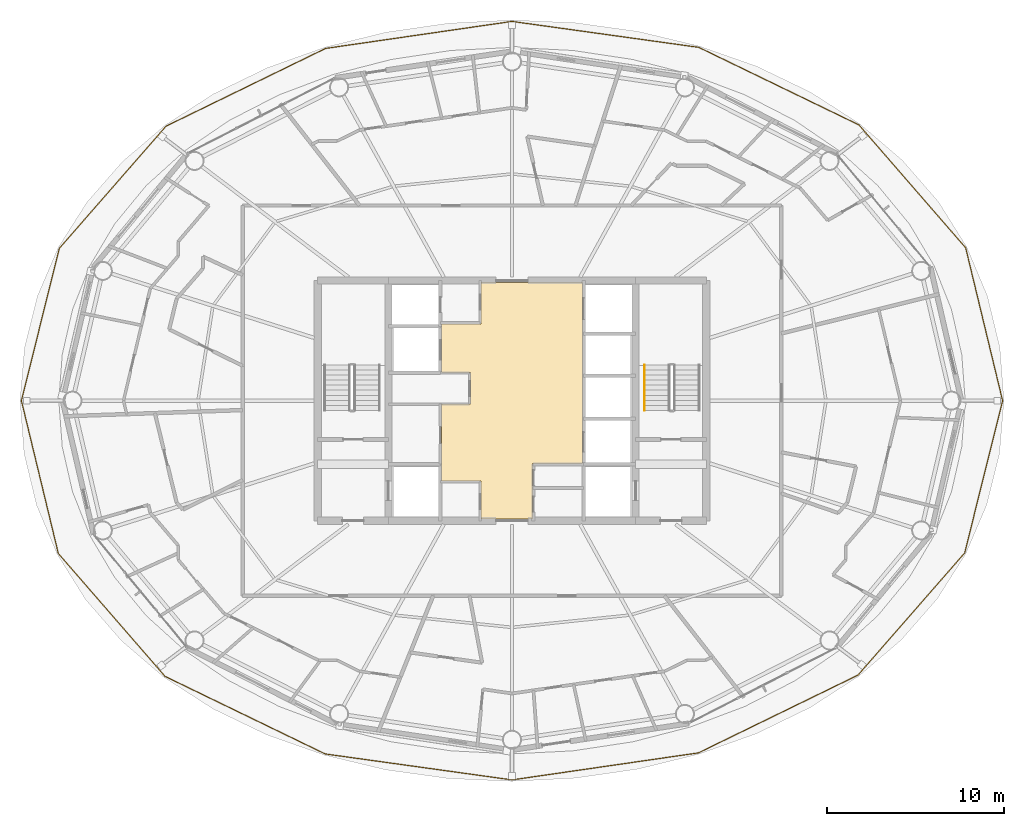
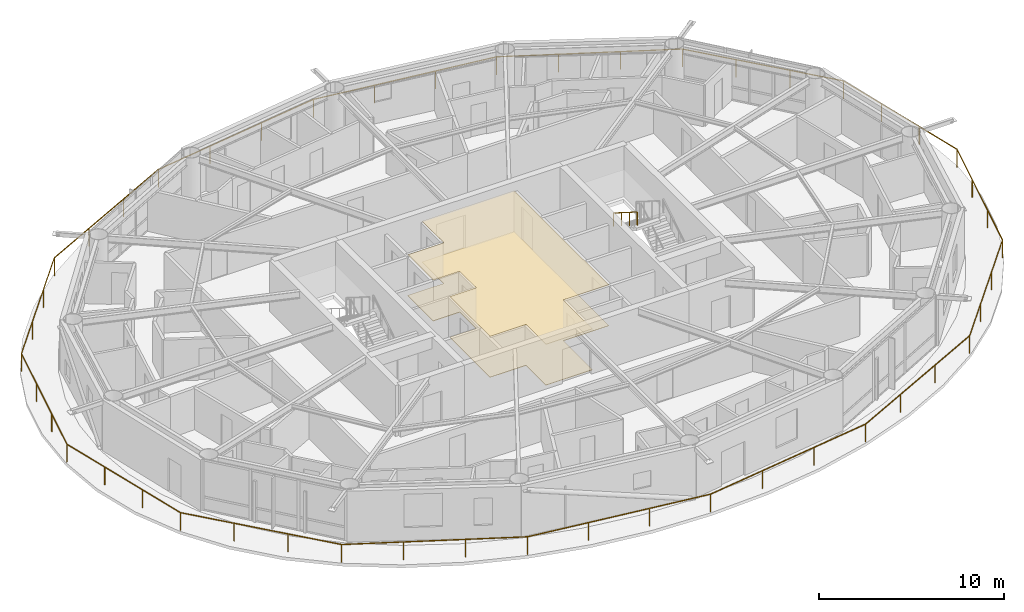
# One storey, part 22 of 23: 2 coverings, 2 railings.
"""IFC4 building model written with IfcOpenShell, lengths in metres."""

from ifc_helpers import new_model, si_unit, direction, frame, origin, origin_2d, place, context, subcontext, project, spatial, polyline, rectangle, outline, extrude, material, layer, layer_set, type_object, element, save


model = new_model("IFC4")

# Units and contexts
model_context = context("Model", 3, precision=1e-05, world=origin(), true_north=direction((0.0, 1.0)))
body_context = subcontext(model_context, "Body", "Model", "MODEL_VIEW")
ifc_project = project(units=[si_unit("LENGTHUNIT", "METRE"), si_unit("AREAUNIT", "SQUARE_METRE"), si_unit("VOLUMEUNIT", "CUBIC_METRE"), si_unit("PLANEANGLEUNIT", "RADIAN"), si_unit("MASSUNIT", "GRAM", prefix="KILO")], contexts=[model_context])

# Site, building, storey
site_placement = place(None, origin())
site = spatial("IfcSite", under=ifc_project, at=site_placement, CompositionType="ELEMENT")
building_placement = place(site_placement, origin())
building = spatial("IfcBuilding", under=site, at=building_placement, Name="Sarneth Arch Tower", CompositionType="ELEMENT")
storey_placement = place(building_placement, frame((0.0, 0.0, 238.800048828125)))
storey = spatial("IfcBuildingStorey", under=building, at=storey_placement, Name="L61", CompositionType="ELEMENT", Elevation=238.800048828125)

# Coverings
ifc_material_1 = material(Name="Perforated acoustic gypsum ceiling board")
ifc_layer_1 = layer(ifc_material_1, 0.02490234375)
ifc_layer_set_1 = layer_set([ifc_layer_1], Name="Perforated acoustic gypsum ceiling board")
covering_type_1 = type_object("IfcCoveringType", Name="COV-CEIL-GYP", PredefinedType="CEILING", material=ifc_layer_set_1)
covering_1_placement = place(storey_placement, frame((0.0, 0.0, 2.68994140625)))
element("IfcCovering", 1, at=covering_1_placement, inside=storey, type_object=covering_type_1, Name="L61 Lift lobby acoustic ceiling", PredefinedType="CEILING", context=body_context, shape_type="SweptSolid", body=[
    extrude(outline(polyline([(49.14990234375, 38.449951171875), (49.14990234375, 35.300048828125), (46.25, 35.300048828125), (46.25, 37.449951171875), (44.0, 37.449951171875), (44.0, 41.800048828125), (45.64990234375, 41.800048828125), (45.64990234375, 43.580078125), (44.0, 43.580078125), (44.0, 46.35009765625), (46.25, 46.35009765625), (46.25, 48.699951171875), (52.0, 48.699951171875), (52.0, 38.449951171875), (49.14990234375, 38.449951171875)])), origin(), (0.0, 0.0, 1.0), 0.030029296875),
])
ifc_material_2 = material(Name="Honed granite stone flooring", Category="masonry")
ifc_layer_2 = layer(ifc_material_2, 0.030029296875)
ifc_layer_set_2 = layer_set([ifc_layer_2], Name="Honed granite stone flooring")
covering_type_2 = type_object("IfcCoveringType", Name="COV-FLR-STONE", PredefinedType="FLOORING", material=ifc_layer_set_2)
covering_2_placement = place(storey_placement, origin())
element("IfcCovering", 2, at=covering_2_placement, inside=storey, type_object=covering_type_2, Name="L61 Lift lobby granite flooring", PredefinedType="FLOORING", context=body_context, shape_type="SweptSolid", body=[
    extrude(outline(polyline([(49.14990234375, 38.449951171875), (49.14990234375, 35.300048828125), (46.25, 35.300048828125), (46.25, 37.449951171875), (44.0, 37.449951171875), (44.0, 41.800048828125), (45.64990234375, 41.800048828125), (45.64990234375, 43.580078125), (44.0, 43.580078125), (44.0, 46.35009765625), (46.25, 46.35009765625), (46.25, 48.699951171875), (52.0, 48.699951171875), (52.0, 38.449951171875), (49.14990234375, 38.449951171875)])), origin(), (0.0, 0.0, 1.0), 0.030029296875),
])

# Railings
ifc_material_3 = material(Name="Laminated structural glass infill with Stainless Steel 316 top rail and posts", Category="steel")
railing_type_1 = type_object("IfcRailingType", Name="RAIL-BALC-1200", PredefinedType="BALUSTRADE", material=ifc_material_3)
railing_1_placement = place(storey_placement, frame((75.777587890625, 42.0, 0.0)))
element("IfcRailing", 3, at=railing_1_placement, inside=storey, type_object=railing_type_1, Name="L61 Helical balcony glass balustrade", PredefinedType="BALUSTRADE", context=body_context, shape_type="SweptSolid", body=[
    extrude(rectangle(XDim=0.048095703125, YDim=0.048095703125, at=origin_2d()), frame((0.0, 0.0, 1.17578125), z_axis=(-0.234792415291, 0.972045534799, 0.0), x_axis=(-0.972045534799, -0.234792415291, 0.0)), (0.0, 0.0, 1.0), 8.904052734375),
    extrude(rectangle(XDim=0.048095703125, YDim=0.048095703125, at=origin_2d()), frame((-2.090576171875, 8.655029296875, 1.17578125), z_axis=(-0.655775273711, 0.754956151302, 0.0), x_axis=(-0.754956151302, -0.655775273711, 0.0)), (0.0, 0.0, 1.0), 9.216064453125),
    extrude(rectangle(XDim=0.048095703125, YDim=0.048095703125, at=origin_2d()), frame((-8.13427734375, 15.61279296875, 1.17578125), z_axis=(-0.900035090868, 0.435817433344, 0.0), x_axis=(-0.435817433344, -0.900035090868, 0.0)), (0.0, 0.0, 1.0), 10.074951171875),
    extrude(rectangle(XDim=0.048095703125, YDim=0.048095703125, at=origin_2d()), frame((-17.2021484375, 20.003662109375, 1.17578125), z_axis=(-0.990483703022, 0.137630062296, 0.0), x_axis=(-0.137630062296, -0.990483703022, 0.0)), (0.0, 0.0, 1.0), 10.677001953125),
    extrude(rectangle(XDim=0.048095703125, YDim=0.048095703125, at=origin_2d()), frame((-27.777587890625, 21.47314453125, 1.17578125), z_axis=(-0.989652074697, -0.143487877706, 0.0), x_axis=(0.143487877706, -0.989652074697, 0.0)), (0.0, 0.0, 1.0), 10.66650390625),
    extrude(rectangle(XDim=0.048095703125, YDim=0.048095703125, at=origin_2d()), frame((-38.333740234375, 19.942626953125, 1.17578125), z_axis=(-0.898929273408, -0.438093781524, 0.0), x_axis=(0.438093781524, -0.898929273408, 0.0)), (0.0, 0.0, 1.0), 10.04833984375),
    extrude(rectangle(XDim=0.048095703125, YDim=0.048095703125, at=origin_2d()), frame((-47.366455078125, 15.54052734375, 1.17578125), z_axis=(-0.657892755359, -0.753111626816, 0.0), x_axis=(0.753111626816, -0.657892755359, 0.0)), (0.0, 0.0, 1.0), 9.184326171875),
    extrude(rectangle(XDim=0.048095703125, YDim=0.048095703125, at=origin_2d()), frame((-53.40869140625, 8.623779296875, 1.17578125), z_axis=(-0.24153357672, -0.970392462521, 0.0), x_axis=(0.970392462521, -0.24153357672, 0.0)), (0.0, 0.0, 1.0), 8.886962890625),
    extrude(rectangle(XDim=0.048095703125, YDim=0.048095703125, at=origin_2d()), frame((-55.55517578125, 0.0, 1.17578125), z_axis=(0.234792415291, -0.972045534799, 0.0), x_axis=(0.972045534799, 0.234792415291, 0.0)), (0.0, 0.0, 1.0), 8.904052734375),
    extrude(rectangle(XDim=0.048095703125, YDim=0.048095703125, at=origin_2d()), frame((-53.464599609375, -8.655029296875, 1.17578125), z_axis=(0.655775273711, -0.754956151302, 0.0), x_axis=(0.754956151302, 0.655775273711, 0.0)), (0.0, 0.0, 1.0), 9.216064453125),
    extrude(rectangle(XDim=0.048095703125, YDim=0.048095703125, at=origin_2d()), frame((-47.4208984375, -15.61279296875, 1.17578125), z_axis=(0.900035090868, -0.435817433344, 0.0), x_axis=(0.435817433344, 0.900035090868, 0.0)), (0.0, 0.0, 1.0), 10.074951171875),
    extrude(rectangle(XDim=0.048095703125, YDim=0.048095703125, at=origin_2d()), frame((-38.35302734375, -20.003662109375, 1.17578125), z_axis=(0.990483703022, -0.137630062296, 0.0), x_axis=(0.137630062296, 0.990483703022, 0.0)), (0.0, 0.0, 1.0), 10.677001953125),
    extrude(rectangle(XDim=0.048095703125, YDim=0.048095703125, at=origin_2d()), frame((-27.777587890625, -21.47314453125, 1.17578125), z_axis=(0.989652074697, 0.143487877706, 0.0), x_axis=(-0.143487877706, 0.989652074697, 0.0)), (0.0, 0.0, 1.0), 10.66650390625),
    extrude(rectangle(XDim=0.048095703125, YDim=0.048095703125, at=origin_2d()), frame((-17.221435546875, -19.942626953125, 1.17578125), z_axis=(0.898929273408, 0.438093781524, 0.0), x_axis=(-0.438093781524, 0.898929273408, 0.0)), (0.0, 0.0, 1.0), 10.04833984375),
    extrude(rectangle(XDim=0.048095703125, YDim=0.048095703125, at=origin_2d()), frame((-8.188720703125, -15.54052734375, 1.17578125), z_axis=(0.657892755359, 0.753111626816, 0.0), x_axis=(-0.753111626816, 0.657892755359, 0.0)), (0.0, 0.0, 1.0), 9.184326171875),
    extrude(rectangle(XDim=0.048095703125, YDim=0.048095703125, at=origin_2d()), frame((-2.146484375, -8.623779296875, 1.17578125), z_axis=(0.24153357672, 0.970392462521, 0.0), x_axis=(-0.970392462521, 0.24153357672, 0.0)), (0.0, 0.0, 1.0), 8.886962890625),
    extrude(rectangle(XDim=0.0419921875, YDim=0.0419921875, at=origin_2d()), origin(), (0.0, 0.0, 1.0), 1.15185546875),
    extrude(rectangle(XDim=0.0419921875, YDim=0.0419921875, at=origin_2d()), frame((-0.69677734375, 2.885009765625, 0.0)), (0.0, 0.0, 1.0), 1.15185546875),
    extrude(rectangle(XDim=0.0419921875, YDim=0.0419921875, at=origin_2d()), frame((-1.393798828125, 5.77001953125, 0.0)), (0.0, 0.0, 1.0), 1.15185546875),
    extrude(rectangle(XDim=0.0419921875, YDim=0.0419921875, at=origin_2d()), frame((-2.090576171875, 8.655029296875, 0.0)), (0.0, 0.0, 1.0), 1.15185546875),
    extrude(rectangle(XDim=0.0419921875, YDim=0.0419921875, at=origin_2d()), frame((-4.105224609375, 10.974365234375, 0.0)), (0.0, 0.0, 1.0), 1.15185546875),
    extrude(rectangle(XDim=0.0419921875, YDim=0.0419921875, at=origin_2d()), frame((-6.11962890625, 13.29345703125, 0.0)), (0.0, 0.0, 1.0), 1.15185546875),
    extrude(rectangle(XDim=0.0419921875, YDim=0.0419921875, at=origin_2d()), frame((-8.13427734375, 15.61279296875, 0.0)), (0.0, 0.0, 1.0), 1.15185546875),
    extrude(rectangle(XDim=0.0419921875, YDim=0.0419921875, at=origin_2d()), frame((-11.156982421875, 17.076416015625, 0.0)), (0.0, 0.0, 1.0), 1.15185546875),
    extrude(rectangle(XDim=0.0419921875, YDim=0.0419921875, at=origin_2d()), frame((-14.179443359375, 18.5400390625, 0.0)), (0.0, 0.0, 1.0), 1.15185546875),
    extrude(rectangle(XDim=0.0419921875, YDim=0.0419921875, at=origin_2d()), frame((-17.2021484375, 20.003662109375, 0.0)), (0.0, 0.0, 1.0), 1.15185546875),
    extrude(rectangle(XDim=0.0419921875, YDim=0.0419921875, at=origin_2d()), frame((-20.727294921875, 20.493408203125, 0.0)), (0.0, 0.0, 1.0), 1.15185546875),
    extrude(rectangle(XDim=0.0419921875, YDim=0.0419921875, at=origin_2d()), frame((-24.25244140625, 20.9833984375, 0.0)), (0.0, 0.0, 1.0), 1.15185546875),
    extrude(rectangle(XDim=0.0419921875, YDim=0.0419921875, at=origin_2d()), frame((-27.777587890625, 21.47314453125, 0.0)), (0.0, 0.0, 1.0), 1.15185546875),
    extrude(rectangle(XDim=0.0419921875, YDim=0.0419921875, at=origin_2d()), frame((-31.29638671875, 20.962890625, 0.0)), (0.0, 0.0, 1.0), 1.15185546875),
    extrude(rectangle(XDim=0.0419921875, YDim=0.0419921875, at=origin_2d()), frame((-34.81494140625, 20.452880859375, 0.0)), (0.0, 0.0, 1.0), 1.15185546875),
    extrude(rectangle(XDim=0.0419921875, YDim=0.0419921875, at=origin_2d()), frame((-38.333740234375, 19.942626953125, 0.0)), (0.0, 0.0, 1.0), 1.15185546875),
    extrude(rectangle(XDim=0.0419921875, YDim=0.0419921875, at=origin_2d()), frame((-41.3447265625, 18.475341796875, 0.0)), (0.0, 0.0, 1.0), 1.15185546875),
    extrude(rectangle(XDim=0.0419921875, YDim=0.0419921875, at=origin_2d()), frame((-44.35546875, 17.0078125, 0.0)), (0.0, 0.0, 1.0), 1.15185546875),
    extrude(rectangle(XDim=0.0419921875, YDim=0.0419921875, at=origin_2d()), frame((-47.366455078125, 15.54052734375, 0.0)), (0.0, 0.0, 1.0), 1.15185546875),
    extrude(rectangle(XDim=0.0419921875, YDim=0.0419921875, at=origin_2d()), frame((-49.380615234375, 13.23486328125, 0.0)), (0.0, 0.0, 1.0), 1.15185546875),
    extrude(rectangle(XDim=0.0419921875, YDim=0.0419921875, at=origin_2d()), frame((-51.39453125, 10.929443359375, 0.0)), (0.0, 0.0, 1.0), 1.15185546875),
    extrude(rectangle(XDim=0.0419921875, YDim=0.0419921875, at=origin_2d()), frame((-53.40869140625, 8.623779296875, 0.0)), (0.0, 0.0, 1.0), 1.15185546875),
    extrude(rectangle(XDim=0.0419921875, YDim=0.0419921875, at=origin_2d()), frame((-54.124267578125, 5.749267578125, 0.0)), (0.0, 0.0, 1.0), 1.15185546875),
    extrude(rectangle(XDim=0.0419921875, YDim=0.0419921875, at=origin_2d()), frame((-54.839599609375, 2.87451171875, 0.0)), (0.0, 0.0, 1.0), 1.15185546875),
    extrude(rectangle(XDim=0.0419921875, YDim=0.0419921875, at=origin_2d()), frame((-55.55517578125, 0.0, 0.0)), (0.0, 0.0, 1.0), 1.15185546875),
    extrude(rectangle(XDim=0.0419921875, YDim=0.0419921875, at=origin_2d()), frame((-54.8583984375, -2.885009765625, 0.0)), (0.0, 0.0, 1.0), 1.15185546875),
    extrude(rectangle(XDim=0.0419921875, YDim=0.0419921875, at=origin_2d()), frame((-54.161376953125, -5.77001953125, 0.0)), (0.0, 0.0, 1.0), 1.15185546875),
    extrude(rectangle(XDim=0.0419921875, YDim=0.0419921875, at=origin_2d()), frame((-53.464599609375, -8.655029296875, 0.0)), (0.0, 0.0, 1.0), 1.15185546875),
    extrude(rectangle(XDim=0.0419921875, YDim=0.0419921875, at=origin_2d()), frame((-51.449951171875, -10.974365234375, 0.0)), (0.0, 0.0, 1.0), 1.15185546875),
    extrude(rectangle(XDim=0.0419921875, YDim=0.0419921875, at=origin_2d()), frame((-49.435546875, -13.29345703125, 0.0)), (0.0, 0.0, 1.0), 1.15185546875),
    extrude(rectangle(XDim=0.0419921875, YDim=0.0419921875, at=origin_2d()), frame((-47.4208984375, -15.61279296875, 0.0)), (0.0, 0.0, 1.0), 1.15185546875),
    extrude(rectangle(XDim=0.0419921875, YDim=0.0419921875, at=origin_2d()), frame((-44.398193359375, -17.076416015625, 0.0)), (0.0, 0.0, 1.0), 1.15185546875),
    extrude(rectangle(XDim=0.0419921875, YDim=0.0419921875, at=origin_2d()), frame((-41.375732421875, -18.5400390625, 0.0)), (0.0, 0.0, 1.0), 1.15185546875),
    extrude(rectangle(XDim=0.0419921875, YDim=0.0419921875, at=origin_2d()), frame((-38.35302734375, -20.003662109375, 0.0)), (0.0, 0.0, 1.0), 1.15185546875),
    extrude(rectangle(XDim=0.0419921875, YDim=0.0419921875, at=origin_2d()), frame((-34.827880859375, -20.493408203125, 0.0)), (0.0, 0.0, 1.0), 1.15185546875),
    extrude(rectangle(XDim=0.0419921875, YDim=0.0419921875, at=origin_2d()), frame((-31.302734375, -20.9833984375, 0.0)), (0.0, 0.0, 1.0), 1.15185546875),
    extrude(rectangle(XDim=0.0419921875, YDim=0.0419921875, at=origin_2d()), frame((-27.777587890625, -21.47314453125, 0.0)), (0.0, 0.0, 1.0), 1.15185546875),
    extrude(rectangle(XDim=0.0419921875, YDim=0.0419921875, at=origin_2d()), frame((-24.2587890625, -20.962890625, 0.0)), (0.0, 0.0, 1.0), 1.15185546875),
    extrude(rectangle(XDim=0.0419921875, YDim=0.0419921875, at=origin_2d()), frame((-20.740234375, -20.452880859375, 0.0)), (0.0, 0.0, 1.0), 1.15185546875),
    extrude(rectangle(XDim=0.0419921875, YDim=0.0419921875, at=origin_2d()), frame((-17.221435546875, -19.942626953125, 0.0)), (0.0, 0.0, 1.0), 1.15185546875),
    extrude(rectangle(XDim=0.0419921875, YDim=0.0419921875, at=origin_2d()), frame((-14.21044921875, -18.475341796875, 0.0)), (0.0, 0.0, 1.0), 1.15185546875),
    extrude(rectangle(XDim=0.0419921875, YDim=0.0419921875, at=origin_2d()), frame((-11.19970703125, -17.0078125, 0.0)), (0.0, 0.0, 1.0), 1.15185546875),
    extrude(rectangle(XDim=0.0419921875, YDim=0.0419921875, at=origin_2d()), frame((-8.188720703125, -15.54052734375, 0.0)), (0.0, 0.0, 1.0), 1.15185546875),
    extrude(rectangle(XDim=0.0419921875, YDim=0.0419921875, at=origin_2d()), frame((-6.174560546875, -13.23486328125, 0.0)), (0.0, 0.0, 1.0), 1.15185546875),
    extrude(rectangle(XDim=0.0419921875, YDim=0.0419921875, at=origin_2d()), frame((-4.16064453125, -10.929443359375, 0.0)), (0.0, 0.0, 1.0), 1.15185546875),
    extrude(rectangle(XDim=0.0419921875, YDim=0.0419921875, at=origin_2d()), frame((-2.146484375, -8.623779296875, 0.0)), (0.0, 0.0, 1.0), 1.15185546875),
    extrude(rectangle(XDim=0.0419921875, YDim=0.0419921875, at=origin_2d()), frame((-1.430908203125, -5.749267578125, 0.0)), (0.0, 0.0, 1.0), 1.15185546875),
    extrude(rectangle(XDim=0.0419921875, YDim=0.0419921875, at=origin_2d()), frame((-0.715576171875, -2.87451171875, 0.0)), (0.0, 0.0, 1.0), 1.15185546875),
])
ifc_material_4 = material(Name="Brushed Stainless Steel 304 tubular handrail", Category="steel")
railing_type_2 = type_object("IfcRailingType", Name="RAIL-HANDRAIL-900", PredefinedType="HANDRAIL", material=ifc_material_4)
railing_2_placement = place(storey_placement, frame((55.5, 44.014892578125, 1.97998046875)))
element("IfcRailing", 4, at=railing_2_placement, inside=storey, type_object=railing_type_2, Name="L61 ST-2 stair handrail 2", PredefinedType="HANDRAIL", context=body_context, shape_type="SweptSolid", body=[
    extrude(rectangle(XDim=0.048095703125, YDim=0.048095703125, at=origin_2d()), frame((0.0, 0.0, 0.8759765625), z_axis=(0.0, -0.845502289212, 0.533971796014), x_axis=(1.0, 0.0, 0.0)), (0.0, 0.0, 1.0), 3.03369140625),
    extrude(rectangle(XDim=0.0419921875, YDim=0.0419921875, at=origin_2d()), origin(), (0.0, 0.0, 1.0), 0.851806640625),
    extrude(rectangle(XDim=0.0419921875, YDim=0.0419921875, at=origin_2d()), frame((0.0, -0.85498046875, 0.5400390625)), (0.0, 0.0, 1.0), 0.851806640625),
    extrude(rectangle(XDim=0.0419921875, YDim=0.0419921875, at=origin_2d()), frame((0.0, -1.7099609375, 1.079833984375)), (0.0, 0.0, 1.0), 0.851806640625),
    extrude(rectangle(XDim=0.0419921875, YDim=0.0419921875, at=origin_2d()), frame((0.0, -2.56494140625, 1.619873046875)), (0.0, 0.0, 1.0), 0.851806640625),
])

save(model, "model.ifc")
